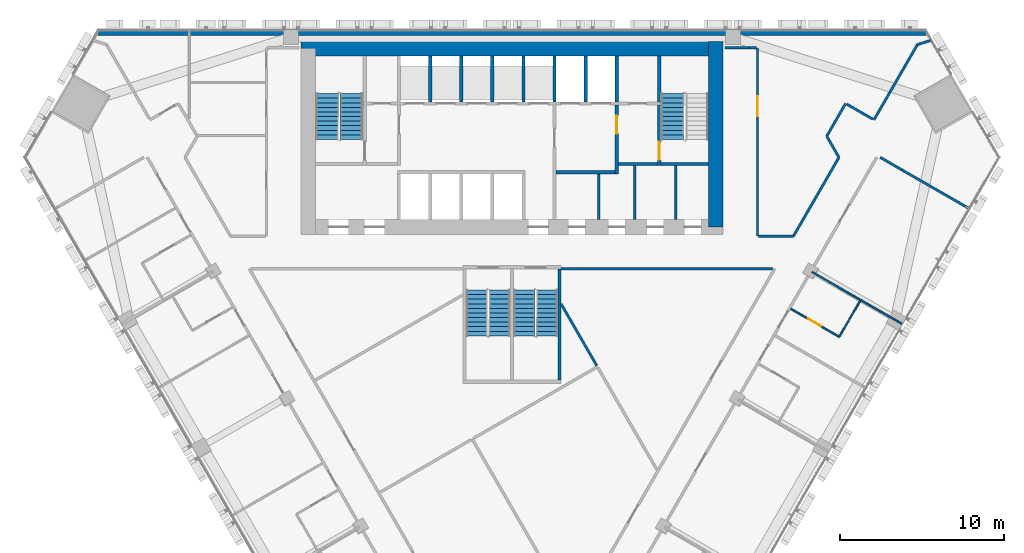
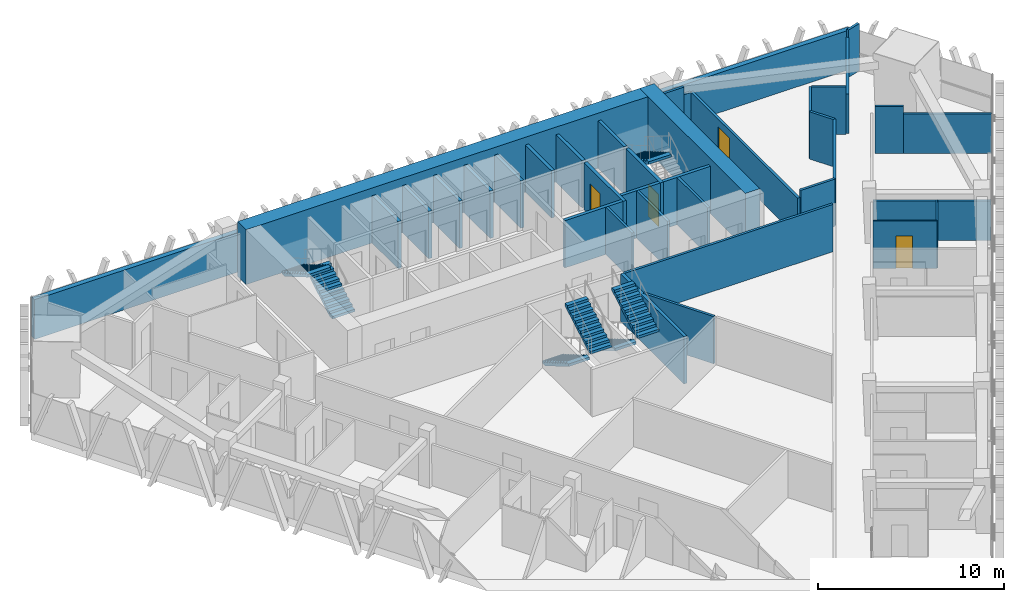
# One storey, part 12 of 16: 37 walls, 7 stair flights, 4 doors, 4 openings, 4 elements without a shape of their own.
"""IFC4 building model written with IfcOpenShell, lengths in metres."""

from ifc_helpers import new_model, si_unit, direction, frame, frame_2d, origin, place, context, subcontext, project, spatial, polyline, rectangle, outline, extrude, material, layer, layer_set, type_object, element, fill, aggregate, save


model = new_model("IFC4")

# Units and contexts
model_context = context("Model", 3, precision=1e-05, world=origin(), true_north=direction((0.0, 1.0)))
body_context = subcontext(model_context, "Body", "Model", "MODEL_VIEW")
ifc_project = project(units=[si_unit("LENGTHUNIT", "METRE"), si_unit("AREAUNIT", "SQUARE_METRE"), si_unit("VOLUMEUNIT", "CUBIC_METRE"), si_unit("PLANEANGLEUNIT", "RADIAN"), si_unit("MASSUNIT", "GRAM", prefix="KILO")], contexts=[model_context])

# Site, building, storey
site_placement = place(None, origin())
site = spatial("IfcSite", under=ifc_project, at=site_placement, CompositionType="ELEMENT")
building_placement = place(site_placement, origin())
building = spatial("IfcBuilding", under=site, at=building_placement, Name="Altiplano Prism Tower", CompositionType="ELEMENT")
storey_placement = place(building_placement, frame((0.0, 0.0, 73.800048828125)))
storey = spatial("IfcBuildingStorey", under=building, at=storey_placement, Name="L18", CompositionType="ELEMENT", Elevation=73.800048828125)

# Walls
ifc_material_1 = material(Name="Concrete C70/85", Category="concrete")
ifc_layer_1 = layer(ifc_material_1, 0.89990234375)
ifc_layer_set_1 = layer_set([ifc_layer_1], Name="Concrete C70/85")
wall_type_1 = type_object("IfcWallType", Name="Core wall 900", PredefinedType="SHEAR", material=ifc_layer_set_1)
wall_1_placement = place(storey_placement, frame((97.449951171875, 92.949951171875, 0.0), z_axis=(0.0, 0.0, 1.0), x_axis=(0.0, 1.0, 0.0)))
element("IfcWall", 1, at=wall_1_placement, inside=storey, type_object=wall_type_1, Name="Core wall E L18", PredefinedType="SHEAR", context=body_context, shape_type="SweptSolid", body=[
    extrude(rectangle(XDim=11.35009765625, YDim=0.89990234375, at=frame_2d((5.675048828125, 0.0))), origin(), (0.0, 0.0, 1.0), 3.599853515625),
])
wall_2_placement = place(storey_placement, frame((97.449951171875, 103.85009765625, 0.0), z_axis=(0.0, 0.0, 1.0), x_axis=(-1.0, 0.0, 0.0)))
element("IfcWall", 2, at=wall_2_placement, inside=storey, type_object=wall_type_1, Name="Core wall N L18", PredefinedType="SHEAR", context=body_context, shape_type="SweptSolid", body=[
    extrude(rectangle(XDim=25.349853515625, YDim=0.89990234375, at=frame_2d((12.6748046875, 0.0))), origin(), (0.0, 0.0, 1.0), 3.599853515625),
])
ifc_material_2 = material(Name="Plasterboard on steel stud", Category="steel")
ifc_layer_2 = layer(ifc_material_2, 0.10009765625)
ifc_layer_set_2 = layer_set([ifc_layer_2], Name="Plasterboard on steel stud")
wall_type_2 = type_object("IfcWallType", Name="Partition 100 unit", PredefinedType="PARTITIONING", material=ifc_layer_set_2)
wall_3_placement = place(storey_placement, frame((106.273681640625, 88.44921875, 0.0), z_axis=(0.0, 0.0, 1.0), x_axis=(-0.500020783669, -0.866013403995, 0.0)))
element("IfcWall", 3, at=wall_3_placement, inside=storey, type_object=wall_type_2, Name="Partition P02 L18 066", PredefinedType="PARTITIONING", context=body_context, shape_type="SweptSolid", body=[
    extrude(rectangle(XDim=2.55029296875, YDim=0.10009765625, at=frame_2d((1.275146484375, 0.0))), origin(), (0.0, 0.0, 1.0), 2.699951171875),
])

# Wall, opening, door
wall_4_placement = place(storey_placement, frame((104.99853515625, 86.24072265625, 0.0), z_axis=(0.0, 0.0, 1.0), x_axis=(-0.866001587311, 0.500041249073, 0.0)))
wall_4 = element("IfcWall", 4, at=wall_4_placement, inside=storey, type_object=wall_type_2, Name="Partition P02 L18 067", PredefinedType="PARTITIONING", context=body_context, shape_type="SweptSolid", body=[
    extrude(rectangle(XDim=3.425048828125, YDim=0.10009765625, at=frame_2d((1.71240234375, 0.0))), origin(), (0.0, 0.0, 1.0), 3.099853515625),
])
opening_1_placement = place(wall_4_placement, frame((1.300048828125, 0.0, 0.0)))
opening_1 = element("IfcOpeningElement", 5, at=opening_1_placement, cuts=wall_4, Name="Opening D0709", PredefinedType="OPENING", context=body_context, shape_type="SweptSolid", body=[
    extrude(rectangle(XDim=0.89990234375, YDim=2.10009765625, at=frame_2d((0.449951171875, 1.050048828125))), frame((0.0, 0.060546875, 0.0), z_axis=(0.0, -1.0, 0.0), x_axis=(1.0, 0.0, 0.0)), (0.0, 0.0, 1.0), 0.12109375),
])
ifc_material_3 = material(Name="Timber", Category="wood")
door_type_1 = type_object("IfcDoorType", Name="Accessible ensuite door 900 x 2100", OperationType="NOTDEFINED", PredefinedType="NOTDEFINED", material=ifc_material_3)
door_1_placement = place(opening_1_placement, origin())
door_1 = element("IfcDoor", 6, at=door_1_placement, inside=storey, type_object=door_type_1, Name="Door D0709", OperationType="SINGLE_SWING_RIGHT", OverallHeight=2.10009765625, OverallWidth=0.89990234375, PredefinedType="NOTDEFINED", context=body_context, shape_type="SweptSolid", body=[
    extrude(rectangle(XDim=0.89990234375, YDim=2.10009765625, at=frame_2d((0.449951171875, 1.050048828125))), frame((0.0, 0.02490234375, 0.0), z_axis=(0.0, -1.0, 0.0), x_axis=(1.0, 0.0, 0.0)), (0.0, 0.0, 1.0), 0.050048828125),
])
fill(opening_1, door_1)

# Walls
ifc_layer_3 = layer(ifc_material_2, 0.10009765625)
ifc_layer_set_3 = layer_set([ifc_layer_3], Name="Plasterboard on steel stud")
wall_type_3 = type_object("IfcWallType", Name="Partition 100 wet", PredefinedType="PARTITIONING", material=ifc_layer_set_3)
wall_5_placement = place(storey_placement, frame((108.81005859375, 87.04248046875, 0.0), z_axis=(0.0, 0.0, 1.0), x_axis=(-0.866032601554, 0.49998753289, 0.0)))
element("IfcWall", 7, at=wall_5_placement, inside=storey, type_object=wall_type_3, Name="Partition P03 L18 068", PredefinedType="PARTITIONING", context=body_context, shape_type="SweptSolid", body=[
    extrude(rectangle(XDim=6.324951171875, YDim=0.10009765625, at=frame_2d((3.16259765625, 0.0))), origin(), (0.0, 0.0, 1.0), 2.599853515625),
])
ifc_layer_4 = layer(ifc_material_2, 0.14990234375)
ifc_layer_set_4 = layer_set([ifc_layer_4], Name="Plasterboard on steel stud")
wall_type_4 = type_object("IfcWallType", Name="Partition 150 corridor", PredefinedType="PARTITIONING", material=ifc_layer_set_4)
wall_6_placement = place(storey_placement, frame((107.499755859375, 97.206298828125, 0.0), z_axis=(0.0, 0.0, 1.0), x_axis=(0.866034781647, -0.499983756713, 0.0)))
element("IfcWall", 8, at=wall_6_placement, inside=storey, type_object=wall_type_4, Name="Partition P06 L18 014", PredefinedType="PARTITIONING", context=body_context, shape_type="SweptSolid", body=[
    extrude(rectangle(XDim=1.53662109375, YDim=0.14990234375, at=frame_2d((0.768310546875, 0.0))), origin(), (0.0, 0.0, 1.0), 3.099853515625),
])
wall_7_placement = place(storey_placement, frame((88.0, 90.39990234375, 0.0), z_axis=(0.0, 0.0, 1.0), x_axis=(1.0, 0.0, 0.0)))
element("IfcWall", 9, at=wall_7_placement, inside=storey, type_object=wall_type_4, Name="Partition P06 L18 016", PredefinedType="PARTITIONING", context=body_context, shape_type="SweptSolid", body=[
    extrude(rectangle(XDim=12.919189453125, YDim=0.14990234375, at=frame_2d((6.45947265625, 0.0))), origin(), (0.0, 0.0, 1.0), 3.099853515625),
])
wall_8_placement = place(storey_placement, frame((107.053466796875, 99.53759765625, 0.0), z_axis=(0.0, 0.0, 1.0), x_axis=(-0.866058118026, 0.49994333299, 0.0)))
element("IfcWall", 10, at=wall_8_placement, inside=storey, type_object=wall_type_4, Name="Partition P06 L18 018", PredefinedType="PARTITIONING", context=body_context, shape_type="SweptSolid", body=[
    extrude(rectangle(XDim=1.849853515625, YDim=0.14990234375, at=frame_2d((0.9248046875, 0.0))), origin(), (0.0, 0.0, 1.0), 3.099853515625),
])
wall_9_placement = place(storey_placement, frame((105.386474609375, 100.5, 0.0), z_axis=(0.0, 0.0, 1.0), x_axis=(-0.500027479704, -0.866009537788, 0.0)))
element("IfcWall", 11, at=wall_9_placement, inside=storey, type_object=wall_type_4, Name="Partition P06 L18 019", PredefinedType="PARTITIONING", context=body_context, shape_type="SweptSolid", body=[
    extrude(rectangle(XDim=2.309326171875, YDim=0.14990234375, at=frame_2d((1.15478515625, 0.0))), origin(), (0.0, 0.0, 1.0), 3.099853515625),
])
wall_10_placement = place(storey_placement, frame((104.231689453125, 98.5, 0.0), z_axis=(0.0, 0.0, 1.0), x_axis=(0.500076103225, -0.865981461108, 0.0)))
element("IfcWall", 12, at=wall_10_placement, inside=storey, type_object=wall_type_4, Name="Partition P06 L18 020", PredefinedType="PARTITIONING", context=body_context, shape_type="SweptSolid", body=[
    extrude(rectangle(XDim=1.493896484375, YDim=0.14990234375, at=frame_2d((0.7470703125, 0.0))), origin(), (0.0, 0.0, 1.0), 3.099853515625),
])
wall_11_placement = place(storey_placement, frame((104.978759765625, 97.206298828125, 0.0), z_axis=(0.0, 0.0, 1.0), x_axis=(-0.499990275446, -0.866031018186, 0.0)))
element("IfcWall", 13, at=wall_11_placement, inside=storey, type_object=wall_type_4, Name="Partition P06 L18 021", PredefinedType="PARTITIONING", context=body_context, shape_type="SweptSolid", body=[
    extrude(rectangle(XDim=5.5498046875, YDim=0.14990234375, at=frame_2d((2.77490234375, 0.0))), origin(), (0.0, 0.0, 1.0), 3.099853515625),
])
wall_12_placement = place(storey_placement, frame((102.203857421875, 92.39990234375, 0.0), z_axis=(0.0, 0.0, 1.0), x_axis=(-1.0, 0.0, 0.0)))
element("IfcWall", 14, at=wall_12_placement, inside=storey, type_object=wall_type_4, Name="Partition P06 L18 022", PredefinedType="PARTITIONING", context=body_context, shape_type="SweptSolid", body=[
    extrude(rectangle(XDim=2.12890625, YDim=0.14990234375, at=frame_2d((1.064453125, 0.0))), origin(), (0.0, 0.0, 1.0), 3.099853515625),
])

# Wall, opening, door
wall_13_placement = place(storey_placement, frame((100.0, 92.39990234375, 0.0), z_axis=(0.0, 0.0, 1.0), x_axis=(0.0, 1.0, 0.0)))
wall_13 = element("IfcWall", 15, at=wall_13_placement, inside=storey, type_object=wall_type_4, Name="Partition P06 L18 023", PredefinedType="PARTITIONING", context=body_context, shape_type="SweptSolid", body=[
    extrude(rectangle(XDim=11.5, YDim=0.14990234375, at=frame_2d((5.75, 0.0))), origin(), (0.0, 0.0, 1.0), 2.599853515625),
])
opening_2_placement = place(wall_13_placement, frame((7.326904296875, 0.0, 0.0)))
opening_2 = element("IfcOpeningElement", 16, at=opening_2_placement, cuts=wall_13, Name="Opening D0714", PredefinedType="OPENING", context=body_context, shape_type="SweptSolid", body=[
    extrude(rectangle(XDim=1.199951171875, YDim=2.10009765625, at=frame_2d((0.60009765625, 1.050048828125))), frame((0.0, 0.08544921875, 0.0), z_axis=(0.0, -1.0, 0.0), x_axis=(1.0, 0.0, 0.0)), (0.0, 0.0, 1.0), 0.1708984375),
])
door_type_2 = type_object("IfcDoorType", Name="Shared room door 1200 x 2100", OperationType="NOTDEFINED", PredefinedType="NOTDEFINED", material=ifc_material_3)
door_2_placement = place(opening_2_placement, origin())
door_2 = element("IfcDoor", 17, at=door_2_placement, inside=storey, type_object=door_type_2, Name="Door D0714", OperationType="SINGLE_SWING_LEFT", OverallHeight=2.10009765625, OverallWidth=1.199951171875, PredefinedType="NOTDEFINED", context=body_context, shape_type="SweptSolid", body=[
    extrude(rectangle(XDim=1.199951171875, YDim=2.10009765625, at=frame_2d((0.60009765625, 1.050048828125))), frame((0.0, 0.02490234375, 0.0), z_axis=(0.0, -1.0, 0.0), x_axis=(1.0, 0.0, 0.0)), (0.0, 0.0, 1.0), 0.050048828125),
])
fill(opening_2, door_2)

# Walls
wall_14_placement = place(storey_placement, frame((99.925048828125, 103.89990234375, 0.0), z_axis=(0.0, 0.0, 1.0), x_axis=(-1.0, 0.0, 0.0)))
element("IfcWall", 18, at=wall_14_placement, inside=storey, type_object=wall_type_4, Name="Partition P06 L18 024", PredefinedType="PARTITIONING", context=body_context, shape_type="SweptSolid", body=[
    extrude(rectangle(XDim=0.433837890625, YDim=0.14990234375, at=frame_2d((0.216796875, 0.0))), origin(), (0.0, 0.0, 1.0), 2.599853515625),
])
wall_15_placement = place(storey_placement, frame((99.4912109375, 103.89990234375, 0.0), z_axis=(0.0, 0.0, 1.0), x_axis=(-1.0, 0.0, 0.0)))
element("IfcWall", 19, at=wall_15_placement, inside=storey, type_object=wall_type_4, Name="Partition P06 L18 025", PredefinedType="PARTITIONING", context=body_context, shape_type="SweptSolid", body=[
    extrude(rectangle(XDim=1.4912109375, YDim=0.14990234375, at=frame_2d((0.74560546875, 0.0))), origin(), (0.0, 0.0, 1.0), 3.099853515625),
])
wall_16_placement = place(storey_placement, frame((112.90576171875, 94.096435546875, 0.0), z_axis=(0.0, 0.0, 1.0), x_axis=(-0.86705657789, 0.498209685512, 0.0)))
element("IfcWall", 20, at=wall_16_placement, inside=storey, type_object=wall_type_4, Name="Partition P06 L18 069", PredefinedType="PARTITIONING", context=body_context, shape_type="SweptSolid", body=[
    extrude(rectangle(XDim=4.719970703125, YDim=0.14990234375, at=frame_2d((2.35986328125, 0.0))), origin(), (0.0, 0.0, 1.0), 2.599853515625),
])
wall_17_placement = place(storey_placement, frame((110.578857421875, 104.348388671875, 0.0), z_axis=(0.0, 0.0, 1.0), x_axis=(-0.955465075494, -0.295104201108, 0.0)))
element("IfcWall", 21, at=wall_17_placement, inside=storey, type_object=wall_type_4, Name="Partition P06 L18 070", PredefinedType="PARTITIONING", context=body_context, shape_type="SweptSolid", body=[
    extrude(rectangle(XDim=0.84228515625, YDim=0.14990234375, at=frame_2d((0.421142578125, 0.0))), origin(), (0.0, 0.0, 1.0), 3.099853515625),
])
wall_18_placement = place(storey_placement, frame((109.774169921875, 104.099853515625, 0.0), z_axis=(0.0, 0.0, 1.0), x_axis=(-0.500004949648, -0.866022546085, 0.0)))
element("IfcWall", 22, at=wall_18_placement, inside=storey, type_object=wall_type_4, Name="Partition P06 L18 071", PredefinedType="PARTITIONING", context=body_context, shape_type="SweptSolid", body=[
    extrude(rectangle(XDim=5.3115234375, YDim=0.14990234375, at=frame_2d((2.65576171875, 0.0))), origin(), (0.0, 0.0, 1.0), 2.599853515625),
])
ifc_layer_5 = layer(ifc_material_2, 0.14990234375)
ifc_layer_set_5 = layer_set([ifc_layer_5], Name="Plasterboard on steel stud")
wall_type_5 = type_object("IfcWallType", Name="Partition 150 party", PredefinedType="PARTITIONING", material=ifc_layer_set_5)
wall_19_placement = place(storey_placement, frame((88.0, 88.254150390625, 0.0), z_axis=(0.0, 0.0, 1.0), x_axis=(0.500012937857, -0.86601793398, 0.0)))
element("IfcWall", 23, at=wall_19_placement, inside=storey, type_object=wall_type_5, Name="Partition P01 L18 075", PredefinedType="PARTITIONING", context=body_context, shape_type="SweptSolid", body=[
    extrude(rectangle(XDim=4.365234375, YDim=0.14990234375, at=frame_2d((2.1826171875, 0.0))), origin(), (0.0, 0.0, 1.0), 3.099853515625),
])
ifc_material_4 = material(Name="Fire-rated gypsum board partition")
ifc_layer_6 = layer(ifc_material_4, 0.14990234375)
ifc_layer_set_6 = layer_set([ifc_layer_6], Name="Fire-rated gypsum board partition")
wall_type_6 = type_object("IfcWallType", Name="Room partition 150", PredefinedType="PARTITIONING", material=ifc_layer_set_6)
wall_20_placement = place(storey_placement, frame((90.300048828125, 93.39990234375, 0.0), z_axis=(0.0, 0.0, 1.0), x_axis=(0.0, 1.0, 0.0)))
element("IfcWall", 24, at=wall_20_placement, inside=storey, type_object=wall_type_6, Name="Room partition L18", PredefinedType="PARTITIONING", context=body_context, shape_type="SweptSolid", body=[
    extrude(rectangle(XDim=2.800048828125, YDim=0.14990234375, at=frame_2d((1.39990234375, 0.0))), origin(), (0.0, 0.0, 1.0), 3.099853515625),
])
for number, where, z_axis, x_axis, name in (
    (25, (92.5, 93.39990234375, 0.0), (0.0, 0.0, 1.0), (0.0, 1.0, 0.0), "Room partition L18"),
    (26, (95.0, 93.39990234375, 0.0), (0.0, 0.0, 1.0), (0.0, 1.0, 0.0), "Room partition L18"),
):
    element("IfcWall", number, at=place(storey_placement, frame(where, z_axis=z_axis, x_axis=x_axis)), inside=storey, type_object=wall_type_6, Name=name, PredefinedType="PARTITIONING", context=body_context, shape_type="SweptSolid", body=[
        extrude(rectangle(XDim=3.300048828125, YDim=0.14990234375, at=frame_2d((1.64990234375, 0.0))), origin(), (0.0, 0.0, 1.0), 3.099853515625),
    ])
ifc_material_5 = material(Name="Concrete C60/75", Category="concrete")
ifc_layer_7 = layer(ifc_material_5, 0.199951171875)
ifc_layer_set_7 = layer_set([ifc_layer_7], Name="Concrete C60/75")
wall_type_7 = type_object("IfcWallType", Name="Shaft wall 200", PredefinedType="SOLIDWALL", material=ifc_layer_set_7)
for number, where, z_axis, x_axis, name in (
    (27, (80.0, 100.60009765625, 0.0), (0.0, 0.0, 1.0), (0.0, 1.0, 0.0), "Shaft wall L18"),
    (28, (81.89990234375, 100.60009765625, 0.0), (0.0, 0.0, 1.0), (0.0, 1.0, 0.0), "Shaft wall L18"),
    (29, (83.800048828125, 100.60009765625, 0.0), (0.0, 0.0, 1.0), (0.0, 1.0, 0.0), "Shaft wall L18"),
    (30, (85.699951171875, 100.60009765625, 0.0), (0.0, 0.0, 1.0), (0.0, 1.0, 0.0), "Shaft wall L18"),
    (31, (87.60009765625, 100.60009765625, 0.0), (0.0, 0.0, 1.0), (0.0, 1.0, 0.0), "Shaft wall L18"),
    (32, (89.5, 100.60009765625, 0.0), (0.0, 0.0, 1.0), (0.0, 1.0, 0.0), "Shaft wall L18"),
    (33, (91.39990234375, 100.60009765625, 0.0), (0.0, 0.0, 1.0), (0.0, 1.0, 0.0), "Shaft wall L18"),
):
    element("IfcWall", number, at=place(storey_placement, frame(where, z_axis=z_axis, x_axis=x_axis)), inside=storey, type_object=wall_type_7, Name=name, PredefinedType="SOLIDWALL", context=body_context, shape_type="SweptSolid", body=[
        extrude(rectangle(XDim=2.7998046875, YDim=0.199951171875, at=frame_2d((1.39990234375, 0.0))), origin(), (0.0, 0.0, 1.0), 3.099853515625),
    ])

# Wall, opening, door
ifc_layer_8 = layer(ifc_material_5, 0.199951171875)
ifc_layer_set_8 = layer_set([ifc_layer_8], Name="Concrete C60/75")
wall_type_8 = type_object("IfcWallType", Name="Stair wall 200", PredefinedType="SOLIDWALL", material=ifc_layer_set_8)
wall_21_placement = place(storey_placement, frame((94.0, 96.699951171875, 0.0), z_axis=(0.0, 0.0, 1.0), x_axis=(0.0, 1.0, 0.0)))
wall_21 = element("IfcWall", 34, at=wall_21_placement, inside=storey, type_object=wall_type_8, Name="Stair wall L18", PredefinedType="SOLIDWALL", context=body_context, shape_type="SweptSolid", body=[
    extrude(rectangle(XDim=3.699951171875, YDim=0.199951171875, at=frame_2d((1.85009765625, 0.0))), origin(), (0.0, 0.0, 1.0), 3.099853515625),
])
opening_3_placement = place(wall_21_placement, frame((0.35009765625, 0.0, 0.0)))
opening_3 = element("IfcOpeningElement", 35, at=opening_3_placement, cuts=wall_21, Name="Opening D2828", PredefinedType="OPENING", context=body_context, shape_type="SweptSolid", body=[
    extrude(rectangle(XDim=1.10009765625, YDim=2.10009765625, at=frame_2d((0.550048828125, 1.050048828125))), frame((0.0, 0.1103515625, 0.0), z_axis=(0.0, -1.0, 0.0), x_axis=(1.0, 0.0, 0.0)), (0.0, 0.0, 1.0), 0.220947265625),
])
ifc_material_6 = material(Name="Fire-rated steel door", Category="steel")
door_type_3 = type_object("IfcDoorType", Name="Stair fire door 1100 x 2100", OperationType="NOTDEFINED", PredefinedType="NOTDEFINED", material=ifc_material_6)
door_3_placement = place(opening_3_placement, origin())
door_3 = element("IfcDoor", 36, at=door_3_placement, inside=storey, type_object=door_type_3, Name="Stair fire door D2828", OperationType="SINGLE_SWING_LEFT", OverallHeight=2.10009765625, OverallWidth=1.10009765625, PredefinedType="NOTDEFINED", context=body_context, shape_type="SweptSolid", body=[
    extrude(rectangle(XDim=1.10009765625, YDim=2.10009765625, at=frame_2d((0.550048828125, 1.050048828125))), frame((0.0, 0.02490234375, 0.0), z_axis=(0.0, -1.0, 0.0), x_axis=(1.0, 0.0, 0.0)), (0.0, 0.0, 1.0), 0.050048828125),
])
fill(opening_3, door_3)

# Walls
wall_22_placement = place(storey_placement, frame((94.10009765625, 96.800048828125, 0.0), z_axis=(0.0, 0.0, 1.0), x_axis=(1.0, 0.0, 0.0)))
element("IfcWall", 37, at=wall_22_placement, inside=storey, type_object=wall_type_8, Name="Stair wall L18", PredefinedType="SOLIDWALL", context=body_context, shape_type="SweptSolid", body=[
    extrude(rectangle(XDim=2.89990234375, YDim=0.199951171875, at=frame_2d((1.449951171875, 0.0))), origin(), (0.0, 0.0, 1.0), 3.099853515625),
])
wall_23_placement = place(storey_placement, frame((94.0, 100.60009765625, 0.0), z_axis=(0.0, 0.0, 1.0), x_axis=(0.0, 1.0, 0.0)))
element("IfcWall", 38, at=wall_23_placement, inside=storey, type_object=wall_type_8, Name="Stair wall L18", PredefinedType="SOLIDWALL", context=body_context, shape_type="SweptSolid", body=[
    extrude(rectangle(XDim=2.7998046875, YDim=0.199951171875, at=frame_2d((1.39990234375, 0.0))), origin(), (0.0, 0.0, 1.0), 3.099853515625),
])
wall_24_placement = place(storey_placement, frame((87.89990234375, 83.60009765625, 0.0), z_axis=(0.0, 0.0, 1.0), x_axis=(0.0, 1.0, 0.0)))
element("IfcWall", 39, at=wall_24_placement, inside=storey, type_object=wall_type_8, Name="Stair 3 wall east L18", PredefinedType="SOLIDWALL", context=body_context, shape_type="SweptSolid", body=[
    extrude(rectangle(XDim=6.7998046875, YDim=0.199951171875, at=frame_2d((3.39990234375, 0.0))), origin(), (0.0, 0.0, 1.0), 3.099853515625),
])
ifc_material_7 = material(Name="Concrete C40", Category="concrete")
ifc_layer_9 = layer(ifc_material_7, 0.300048828125)
ifc_layer_set_9 = layer_set([ifc_layer_9], Name="Concrete C40")
wall_type_9 = type_object("IfcWallType", Name="Stone-clad external wall 300", PredefinedType="SOLIDWALL", material=ifc_layer_set_9)
wall_25_placement = place(storey_placement, frame((59.7060546875, 104.7900390625, 0.0), z_axis=(0.0, 0.0, 1.0), x_axis=(1.0, 0.0, 0.0)))
element("IfcWall", 40, at=wall_25_placement, inside=storey, type_object=wall_type_9, Name="External wall north face L18", PredefinedType="SOLIDWALL", context=body_context, shape_type="SweptSolid", body=[
    extrude(rectangle(XDim=50.587890625, YDim=0.300048828125, at=frame_2d((25.2939453125, 0.0))), origin(), (0.0, 0.0, 1.0), 2.599853515625),
])
ifc_layer_10 = layer(ifc_material_5, 0.199951171875)
ifc_layer_set_10 = layer_set([ifc_layer_10], Name="Concrete C60/75")
wall_type_10 = type_object("IfcWallType", Name="Vestibule wall 200", PredefinedType="PARTITIONING", material=ifc_layer_set_10)
wall_26_placement = place(storey_placement, frame((87.699951171875, 96.300048828125, 0.0), z_axis=(0.0, 0.0, 1.0), x_axis=(1.0, 0.0, 0.0)))
element("IfcWall", 41, at=wall_26_placement, inside=storey, type_object=wall_type_10, Name="Vestibule wall L18", PredefinedType="PARTITIONING", context=body_context, shape_type="SweptSolid", body=[
    extrude(rectangle(XDim=3.60009765625, YDim=0.199951171875, at=frame_2d((1.800048828125, 0.0))), origin(), (0.0, 0.0, 1.0), 3.099853515625),
])

# Wall, opening, door
wall_27_placement = place(storey_placement, frame((91.39990234375, 96.199951171875, 0.0), z_axis=(0.0, 0.0, 1.0), x_axis=(0.0, 1.0, 0.0)))
wall_27 = element("IfcWall", 42, at=wall_27_placement, inside=storey, type_object=wall_type_10, Name="Vestibule wall L18", PredefinedType="PARTITIONING", context=body_context, shape_type="SweptSolid", body=[
    extrude(rectangle(XDim=4.199951171875, YDim=0.199951171875, at=frame_2d((2.10009765625, 0.0))), origin(), (0.0, 0.0, 1.0), 3.099853515625),
])
opening_4_placement = place(wall_27_placement, frame((2.449951171875, 0.0, 0.0)))
opening_4 = element("IfcOpeningElement", 43, at=opening_4_placement, cuts=wall_27, Name="Opening D2831", PredefinedType="OPENING", context=body_context, shape_type="SweptSolid", body=[
    extrude(rectangle(XDim=1.10009765625, YDim=2.10009765625, at=frame_2d((0.550048828125, 1.050048828125))), frame((0.0, 0.1103515625, 0.0), z_axis=(0.0, -1.0, 0.0), x_axis=(1.0, 0.0, 0.0)), (0.0, 0.0, 1.0), 0.220947265625),
])
door_type_4 = type_object("IfcDoorType", Name="Vestibule fire door 1100 x 2100", OperationType="NOTDEFINED", PredefinedType="NOTDEFINED", material=ifc_material_6)
door_4_placement = place(opening_4_placement, origin())
door_4 = element("IfcDoor", 44, at=door_4_placement, inside=storey, type_object=door_type_4, Name="Vestibule fire door D2831", OperationType="SINGLE_SWING_LEFT", OverallHeight=2.10009765625, OverallWidth=1.10009765625, PredefinedType="NOTDEFINED", context=body_context, shape_type="SweptSolid", body=[
    extrude(rectangle(XDim=1.10009765625, YDim=2.10009765625, at=frame_2d((0.550048828125, 1.050048828125))), frame((0.0, 0.02490234375, 0.0), z_axis=(0.0, -1.0, 0.0), x_axis=(1.0, 0.0, 0.0)), (0.0, 0.0, 1.0), 0.050048828125),
])
fill(opening_4, door_4)

# Wall
wall_28_placement = place(storey_placement, frame((91.5, 96.800048828125, 0.0), z_axis=(0.0, 0.0, 1.0), x_axis=(1.0, 0.0, 0.0)))
element("IfcWall", 45, at=wall_28_placement, inside=storey, type_object=wall_type_10, Name="Vestibule wall L18", PredefinedType="PARTITIONING", context=body_context, shape_type="SweptSolid", body=[
    extrude(rectangle(XDim=2.39990234375, YDim=0.199951171875, at=frame_2d((1.199951171875, 0.0))), origin(), (0.0, 0.0, 1.0), 3.099853515625),
])

# Stair, stair flights
ifc_material_8 = material(Name="Concrete C40/50", Category="concrete")
stair_type_1 = type_object("IfcStairType", Name="Exit stair 1400", PredefinedType="HALF_TURN_STAIR", material=ifc_material_8)
stair_1_placement = place(storey_placement, origin())
stair_1 = element("IfcStair", 46, at=stair_1_placement, inside=storey, type_object=stair_type_1, Name="L18 Exit Stair 1", PredefinedType="HALF_TURN_STAIR")
stair_flight_type = type_object("IfcStairFlightType", Name="Stair flight concrete 150", PredefinedType="STRAIGHT", material=ifc_material_8)
stair_flight_1_placement = place(storey_placement, frame((75.199951171875, 98.300048828125, 0.0), z_axis=(0.0, 0.0, 1.0), x_axis=(0.0, 1.0, 0.0)))
stair_flight_1 = element("IfcStairFlight", 47, at=stair_flight_1_placement, type_object=stair_flight_type, Name="ST1 flight 1", NumberOfRisers=11, NumberOfTreads=10, PredefinedType="STRAIGHT", RiserHeight=0.163636364, TreadLength=0.28, context=body_context, shape_type="SweptSolid", body=[
    extrude(outline(polyline([(0.0, 0.0), (0.0, 0.16357421875), (0.280029296875, 0.16357421875), (0.280029296875, 0.327392578125), (0.56005859375, 0.327392578125), (0.56005859375, 0.490966796875), (0.840087890625, 0.490966796875), (0.840087890625, 0.654541015625), (1.1201171875, 0.654541015625), (1.1201171875, 0.818115234375), (1.39990234375, 0.818115234375), (1.39990234375, 0.98193359375), (1.679931640625, 0.98193359375), (1.679931640625, 1.1455078125), (1.9599609375, 1.1455078125), (1.9599609375, 1.30908203125), (2.239990234375, 1.30908203125), (2.239990234375, 1.47265625), (2.52001953125, 1.47265625), (2.52001953125, 1.636474609375), (2.800048828125, 1.636474609375), (2.800048828125, 1.800048828125), (2.800048828125, 1.462646484375), (0.297119140625, 0.0), (0.0, 0.0)])), frame((0.0, 0.699951171875, 0.0), z_axis=(0.0, -1.0, 0.0), x_axis=(1.0, 0.0, 0.0)), (0.0, 0.0, 1.0), 1.39990234375),
])
stair_flight_2_placement = place(storey_placement, frame((73.699951171875, 101.10009765625, 1.800048828125), z_axis=(0.0, 0.0, 1.0), x_axis=(0.0, -1.0, 0.0)))
stair_flight_2 = element("IfcStairFlight", 48, at=stair_flight_2_placement, type_object=stair_flight_type, Name="ST1 flight 2", NumberOfRisers=11, NumberOfTreads=10, PredefinedType="STRAIGHT", RiserHeight=0.163636364, TreadLength=0.28, context=body_context, shape_type="SweptSolid", body=[
    extrude(outline(polyline([(0.0, 0.0), (0.0, 0.16357421875), (0.280029296875, 0.16357421875), (0.280029296875, 0.327392578125), (0.56005859375, 0.327392578125), (0.56005859375, 0.490966796875), (0.840087890625, 0.490966796875), (0.840087890625, 0.654541015625), (1.1201171875, 0.654541015625), (1.1201171875, 0.818115234375), (1.39990234375, 0.818115234375), (1.39990234375, 0.98193359375), (1.679931640625, 0.98193359375), (1.679931640625, 1.1455078125), (1.9599609375, 1.1455078125), (1.9599609375, 1.30908203125), (2.239990234375, 1.30908203125), (2.239990234375, 1.47265625), (2.52001953125, 1.47265625), (2.52001953125, 1.636474609375), (2.800048828125, 1.636474609375), (2.800048828125, 1.800048828125), (2.800048828125, 1.462646484375), (0.297119140625, 0.0), (0.0, 0.0)])), frame((0.0, 0.699951171875, 0.0), z_axis=(0.0, -1.0, 0.0), x_axis=(1.0, 0.0, 0.0)), (0.0, 0.0, 1.0), 1.39990234375),
])
aggregate(stair_1, [stair_flight_1, stair_flight_2])

# Stair, stair flight
stair_2_placement = place(storey_placement, origin())
stair_2 = element("IfcStair", 49, at=stair_2_placement, inside=storey, type_object=stair_type_1, Name="L18 Exit Stair 2", PredefinedType="HALF_TURN_STAIR")
stair_flight_3_placement = place(storey_placement, frame((94.800048828125, 101.10009765625, 1.800048828125), z_axis=(0.0, 0.0, 1.0), x_axis=(0.0, -1.0, 0.0)))
stair_flight_3 = element("IfcStairFlight", 50, at=stair_flight_3_placement, type_object=stair_flight_type, Name="ST2 flight 2", NumberOfRisers=11, NumberOfTreads=10, PredefinedType="STRAIGHT", RiserHeight=0.163636364, TreadLength=0.28, context=body_context, shape_type="SweptSolid", body=[
    extrude(outline(polyline([(0.0, 0.0), (0.0, 0.16357421875), (0.280029296875, 0.16357421875), (0.280029296875, 0.327392578125), (0.56005859375, 0.327392578125), (0.56005859375, 0.490966796875), (0.840087890625, 0.490966796875), (0.840087890625, 0.654541015625), (1.1201171875, 0.654541015625), (1.1201171875, 0.818115234375), (1.39990234375, 0.818115234375), (1.39990234375, 0.98193359375), (1.679931640625, 0.98193359375), (1.679931640625, 1.1455078125), (1.9599609375, 1.1455078125), (1.9599609375, 1.30908203125), (2.239990234375, 1.30908203125), (2.239990234375, 1.47265625), (2.52001953125, 1.47265625), (2.52001953125, 1.636474609375), (2.800048828125, 1.636474609375), (2.800048828125, 1.800048828125), (2.800048828125, 1.462646484375), (0.297119140625, 0.0), (0.0, 0.0)])), frame((0.0, 0.699951171875, 0.0), z_axis=(0.0, -1.0, 0.0), x_axis=(1.0, 0.0, 0.0)), (0.0, 0.0, 1.0), 1.39990234375),
])
aggregate(stair_2, [stair_flight_3])

# Stair, stair flights
stair_type_2 = type_object("IfcStairType", Name="Exit stair 1300", PredefinedType="HALF_TURN_STAIR", material=ifc_material_8)
stair_3_placement = place(storey_placement, origin())
stair_3 = element("IfcStair", 51, at=stair_3_placement, inside=storey, type_object=stair_type_2, Name="L18 Exit Stair 3A", PredefinedType="HALF_TURN_STAIR")
stair_flight_4_placement = place(storey_placement, frame((82.85009765625, 89.10009765625, 0.0), z_axis=(0.0, 0.0, 1.0), x_axis=(0.0, -1.0, 0.0)))
stair_flight_4 = element("IfcStairFlight", 52, at=stair_flight_4_placement, type_object=stair_flight_type, Name="ST3A flight 1", NumberOfRisers=11, NumberOfTreads=10, PredefinedType="STRAIGHT", RiserHeight=0.163636364, TreadLength=0.28, context=body_context, shape_type="SweptSolid", body=[
    extrude(outline(polyline([(0.0, 0.0), (0.0, 0.16357421875), (0.280029296875, 0.16357421875), (0.280029296875, 0.327392578125), (0.56005859375, 0.327392578125), (0.56005859375, 0.490966796875), (0.840087890625, 0.490966796875), (0.840087890625, 0.654541015625), (1.1201171875, 0.654541015625), (1.1201171875, 0.818115234375), (1.39990234375, 0.818115234375), (1.39990234375, 0.98193359375), (1.679931640625, 0.98193359375), (1.679931640625, 1.1455078125), (1.9599609375, 1.1455078125), (1.9599609375, 1.30908203125), (2.239990234375, 1.30908203125), (2.239990234375, 1.47265625), (2.52001953125, 1.47265625), (2.52001953125, 1.636474609375), (2.800048828125, 1.636474609375), (2.800048828125, 1.800048828125), (2.800048828125, 1.462646484375), (0.297119140625, 0.0), (0.0, 0.0)])), frame((0.0, 0.64990234375, 0.0), z_axis=(0.0, -1.0, 0.0), x_axis=(1.0, 0.0, 0.0)), (0.0, 0.0, 1.0), 1.300048828125),
])
stair_flight_5_placement = place(storey_placement, frame((84.25, 86.300048828125, 1.800048828125), z_axis=(0.0, 0.0, 1.0), x_axis=(0.0, 1.0, 0.0)))
stair_flight_5 = element("IfcStairFlight", 53, at=stair_flight_5_placement, type_object=stair_flight_type, Name="ST3A flight 2", NumberOfRisers=11, NumberOfTreads=10, PredefinedType="STRAIGHT", RiserHeight=0.163636364, TreadLength=0.28, context=body_context, shape_type="SweptSolid", body=[
    extrude(outline(polyline([(0.0, 0.0), (0.0, 0.16357421875), (0.280029296875, 0.16357421875), (0.280029296875, 0.327392578125), (0.56005859375, 0.327392578125), (0.56005859375, 0.490966796875), (0.840087890625, 0.490966796875), (0.840087890625, 0.654541015625), (1.1201171875, 0.654541015625), (1.1201171875, 0.818115234375), (1.39990234375, 0.818115234375), (1.39990234375, 0.98193359375), (1.679931640625, 0.98193359375), (1.679931640625, 1.1455078125), (1.9599609375, 1.1455078125), (1.9599609375, 1.30908203125), (2.239990234375, 1.30908203125), (2.239990234375, 1.47265625), (2.52001953125, 1.47265625), (2.52001953125, 1.636474609375), (2.800048828125, 1.636474609375), (2.800048828125, 1.800048828125), (2.800048828125, 1.462646484375), (0.297119140625, 0.0), (0.0, 0.0)])), frame((0.0, 0.64990234375, 0.0), z_axis=(0.0, -1.0, 0.0), x_axis=(1.0, 0.0, 0.0)), (0.0, 0.0, 1.0), 1.300048828125),
])
aggregate(stair_3, [stair_flight_4, stair_flight_5])

stair_4_placement = place(storey_placement, origin())
stair_4 = element("IfcStair", 54, at=stair_4_placement, inside=storey, type_object=stair_type_2, Name="L18 Exit Stair 3B", PredefinedType="HALF_TURN_STAIR")
stair_flight_6_placement = place(storey_placement, frame((85.75, 89.10009765625, 0.0), z_axis=(0.0, 0.0, 1.0), x_axis=(0.0, -1.0, 0.0)))
stair_flight_6 = element("IfcStairFlight", 55, at=stair_flight_6_placement, type_object=stair_flight_type, Name="ST3B flight 1", NumberOfRisers=11, NumberOfTreads=10, PredefinedType="STRAIGHT", RiserHeight=0.163636364, TreadLength=0.28, context=body_context, shape_type="SweptSolid", body=[
    extrude(outline(polyline([(0.0, 0.0), (0.0, 0.16357421875), (0.280029296875, 0.16357421875), (0.280029296875, 0.327392578125), (0.56005859375, 0.327392578125), (0.56005859375, 0.490966796875), (0.840087890625, 0.490966796875), (0.840087890625, 0.654541015625), (1.1201171875, 0.654541015625), (1.1201171875, 0.818115234375), (1.39990234375, 0.818115234375), (1.39990234375, 0.98193359375), (1.679931640625, 0.98193359375), (1.679931640625, 1.1455078125), (1.9599609375, 1.1455078125), (1.9599609375, 1.30908203125), (2.239990234375, 1.30908203125), (2.239990234375, 1.47265625), (2.52001953125, 1.47265625), (2.52001953125, 1.636474609375), (2.800048828125, 1.636474609375), (2.800048828125, 1.800048828125), (2.800048828125, 1.462646484375), (0.297119140625, 0.0), (0.0, 0.0)])), frame((0.0, 0.64990234375, 0.0), z_axis=(0.0, -1.0, 0.0), x_axis=(1.0, 0.0, 0.0)), (0.0, 0.0, 1.0), 1.300048828125),
])
stair_flight_7_placement = place(storey_placement, frame((87.14990234375, 86.300048828125, 1.800048828125), z_axis=(0.0, 0.0, 1.0), x_axis=(0.0, 1.0, 0.0)))
stair_flight_7 = element("IfcStairFlight", 56, at=stair_flight_7_placement, type_object=stair_flight_type, Name="ST3B flight 2", NumberOfRisers=11, NumberOfTreads=10, PredefinedType="STRAIGHT", RiserHeight=0.163636364, TreadLength=0.28, context=body_context, shape_type="SweptSolid", body=[
    extrude(outline(polyline([(0.0, 0.0), (0.0, 0.16357421875), (0.280029296875, 0.16357421875), (0.280029296875, 0.327392578125), (0.56005859375, 0.327392578125), (0.56005859375, 0.490966796875), (0.840087890625, 0.490966796875), (0.840087890625, 0.654541015625), (1.1201171875, 0.654541015625), (1.1201171875, 0.818115234375), (1.39990234375, 0.818115234375), (1.39990234375, 0.98193359375), (1.679931640625, 0.98193359375), (1.679931640625, 1.1455078125), (1.9599609375, 1.1455078125), (1.9599609375, 1.30908203125), (2.239990234375, 1.30908203125), (2.239990234375, 1.47265625), (2.52001953125, 1.47265625), (2.52001953125, 1.636474609375), (2.800048828125, 1.636474609375), (2.800048828125, 1.800048828125), (2.800048828125, 1.462646484375), (0.297119140625, 0.0), (0.0, 0.0)])), frame((0.0, 0.64990234375, 0.0), z_axis=(0.0, -1.0, 0.0), x_axis=(1.0, 0.0, 0.0)), (0.0, 0.0, 1.0), 1.300048828125),
])
aggregate(stair_4, [stair_flight_6, stair_flight_7])

save(model, "model.ifc")
